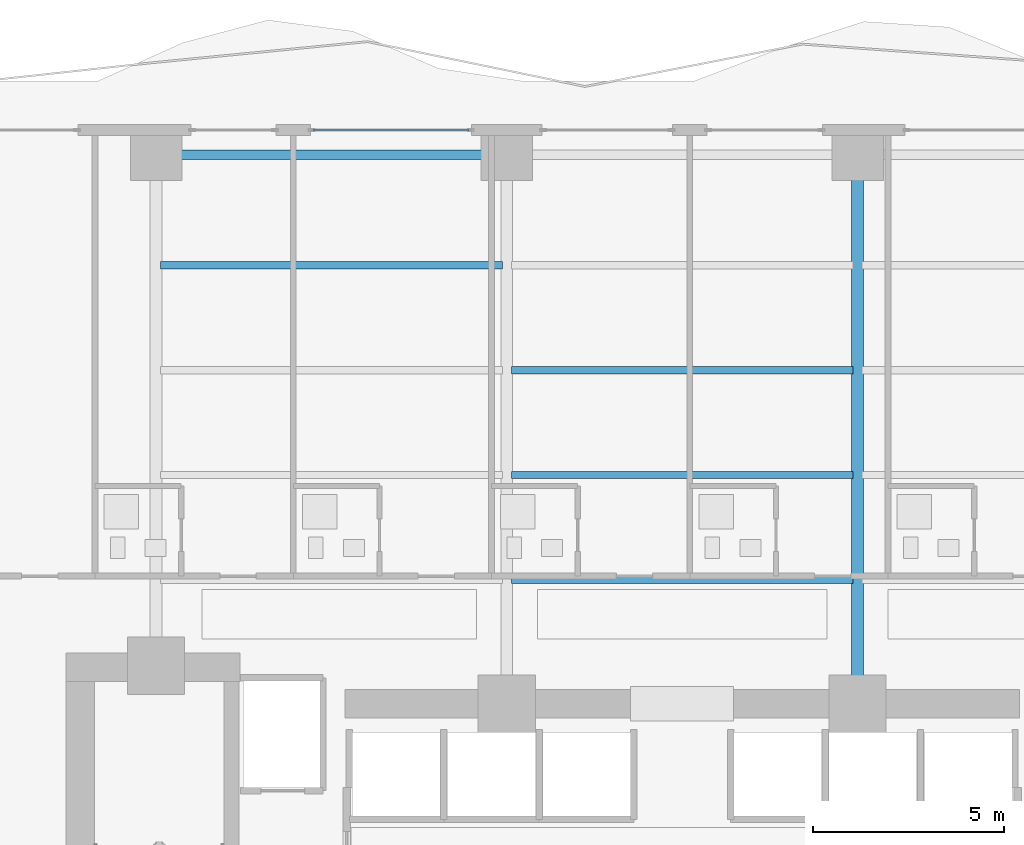
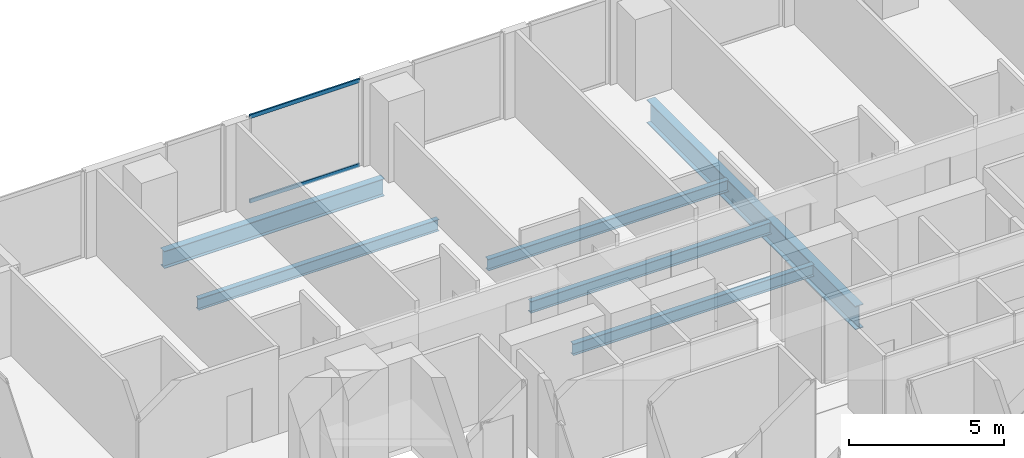
# One storey, part 16 of 29: 6 beams, 2 members, 1 element without a shape of its own.
"""IFC4 building model written with IfcOpenShell, lengths in metres."""

from ifc_helpers import new_model, si_unit, direction, frame, origin, origin_2d, place, context, subcontext, project, spatial, hollow_rectangle, i_section, extrude, material, layer, layer_set, material_profile, profile_set, type_object, element, aggregate, save


model = new_model("IFC4")

# Units and contexts
model_context = context("Model", 3, precision=1e-05, world=origin(), true_north=direction((0.0, 1.0)))
body_context = subcontext(model_context, "Body", "Model", "MODEL_VIEW")
ifc_project = project(units=[si_unit("LENGTHUNIT", "METRE"), si_unit("AREAUNIT", "SQUARE_METRE"), si_unit("VOLUMEUNIT", "CUBIC_METRE"), si_unit("PLANEANGLEUNIT", "RADIAN"), si_unit("MASSUNIT", "GRAM", prefix="KILO")], contexts=[model_context])

# Site, building, storey
site_placement = place(None, origin())
site = spatial("IfcSite", under=ifc_project, at=site_placement, CompositionType="ELEMENT")
building_placement = place(site_placement, origin())
building = spatial("IfcBuilding", under=site, at=building_placement, Name="Zuhayl Quay Hotel", CompositionType="ELEMENT")
storey_placement = place(building_placement, frame((0.0, 0.0, 158.550048828125)))
storey = spatial("IfcBuildingStorey", under=building, at=storey_placement, Name="L40", CompositionType="ELEMENT", Elevation=158.550048828125)

# Beams
ifc_material_1 = material(Name="Steel ASTM A992 Grade 50", Category="steel")
ifc_material_profile_1 = material_profile(ifc_material_1, i_section(OverallWidth=0.25390625, OverallDepth=0.68310546875, WebThickness=0.012451171875, FlangeThickness=0.018798828125, at=origin_2d()), Name="W27X94")
ifc_profile_set_1 = profile_set([ifc_material_profile_1], Name="Steel ASTM A992 Grade 50")
beam_type_1 = type_object("IfcBeamType", Name="BM_B2_W27X94", PredefinedType="BEAM", material=ifc_profile_set_1)
beam_1_placement = place(storey_placement, frame((-5.10009765625, 27.75, -0.5615234375), z_axis=(-1.0, 0.0, 0.0), x_axis=(0.0, -1.0, 0.0)))
element("IfcBeam", 1, at=beam_1_placement, inside=storey, type_object=beam_type_1, Name="L40 Floor Beam RG_L40_09", PredefinedType="BEAM", context=body_context, shape_type="SweptSolid", body=[
    extrude(i_section(OverallWidth=0.25390625, OverallDepth=0.68310546875, WebThickness=0.012451171875, FlangeThickness=0.018798828125, at=origin_2d()), origin(), (0.0, 0.0, 1.0), 8.199951171875),
])
ifc_material_profile_2 = material_profile(ifc_material_1, i_section(OverallWidth=0.18994140625, OverallDepth=0.45703125, WebThickness=0.009033203125, FlangeThickness=0.014404296875, at=origin_2d()), Name="W18X50")
ifc_profile_set_2 = profile_set([ifc_material_profile_2], Name="Steel ASTM A992 Grade 50")
beam_type_2 = type_object("IfcBeamType", Name="BM_J2_W18X50", PredefinedType="JOIST", material=ifc_profile_set_2)
for number, where, z_axis, x_axis, name in (
    (2, (-4.48095703125, 16.60009765625, -0.448486328125), (1.0, 0.0, 0.0), (0.0, 1.0, 0.0), "L40 Floor Beam FJ_L40_1_2"),
    (3, (-4.48095703125, 19.35009765625, -0.448486328125), (1.0, 0.0, 0.0), (0.0, 1.0, 0.0), "L40 Floor Beam FJ_L40_2_2"),
    (4, (-4.48095703125, 22.10009765625, -0.448486328125), (1.0, 0.0, 0.0), (0.0, 1.0, 0.0), "L40 Floor Beam FJ_L40_3_2"),
    (5, (-13.680908203125, 24.85009765625, -0.448486328125), (1.0, 0.0, 0.0), (0.0, 1.0, 0.0), "L40 Floor Beam FJ_L40_4_1"),
):
    element("IfcBeam", number, at=place(storey_placement, frame(where, z_axis=z_axis, x_axis=x_axis)), inside=storey, type_object=beam_type_2, Name=name, PredefinedType="JOIST", context=body_context, shape_type="SweptSolid", body=[
        extrude(i_section(OverallWidth=0.18994140625, OverallDepth=0.45703125, WebThickness=0.009033203125, FlangeThickness=0.014404296875, at=origin_2d()), origin(), (0.0, 0.0, 1.0), 8.9619140625),
    ])
ifc_material_profile_3 = material_profile(ifc_material_1, i_section(OverallWidth=0.306884765625, OverallDepth=0.927001953125, WebThickness=0.019287109375, FlangeThickness=0.031982421875, at=origin_2d()), Name="W36X194")
ifc_profile_set_3 = profile_set([ifc_material_profile_3], Name="Steel ASTM A992 Grade 50")
beam_type_3 = type_object("IfcBeamType", Name="BM_PG2_W36X194", PredefinedType="BEAM", material=ifc_profile_set_3)
beam_2_placement = place(storey_placement, frame((4.60009765625, 13.800048828125, -0.68359375), z_axis=(0.0, 1.0, 0.0), x_axis=(-1.0, 0.0, 0.0)))
element("IfcBeam", 6, at=beam_2_placement, inside=storey, type_object=beam_type_3, Name="L40 Floor Beam FG_N_L40_3", PredefinedType="BEAM", context=body_context, shape_type="SweptSolid", body=[
    extrude(i_section(OverallWidth=0.306884765625, OverallDepth=0.927001953125, WebThickness=0.019287109375, FlangeThickness=0.031982421875, at=origin_2d()), origin(), (0.0, 0.0, 1.0), 13.449951171875),
])

# Curtain wall, members
ifc_material_2 = material(Name="Anodised Aluminium 6063-T6", Category="aluminium")
ifc_layer = layer(ifc_material_2, 0.179931640625, Name="Anodised Aluminium 6063-T6", Category="aluminium")
ifc_layer_set = layer_set([ifc_layer], Name="Anodised Aluminium 6063-T6")
curtain_wall_type = type_object("IfcCurtainWallType", Name="CW_SYS_Z2", PredefinedType="USERDEFINED", material=ifc_layer_set)
curtain_wall_placement = place(storey_placement, origin())
curtain_wall = element("IfcCurtainWall", 7, at=curtain_wall_placement, inside=storey, type_object=curtain_wall_type, Name="L40 Curtain Wall ENV_L40_N_CW3", ObjectType="UNITISED CURTAIN WALL", PredefinedType="USERDEFINED")
ifc_material_3 = material(Name="Black-anodised aluminium 6063-T6", Category="aluminium")
ifc_material_profile_4 = material_profile(ifc_material_3, hollow_rectangle(XDim=0.06005859375, YDim=0.14990234375, WallThickness=0.00341796875, at=origin_2d()), Name="ALU150X60")
ifc_profile_set_4 = profile_set([ifc_material_profile_4], Name="Black-anodised aluminium 6063-T6")
member_type = type_object("IfcMemberType", Name="MB_CW_TRN_150", PredefinedType="USERDEFINED", material=ifc_profile_set_4)
member_1_placement = place(storey_placement, frame((-9.68505859375, 28.39990234375, 0.030029296875), z_axis=(1.0, 0.0, 0.0), x_axis=(0.0, 1.0, 0.0)))
member_1 = element("IfcMember", 8, at=member_1_placement, type_object=member_type, Name="CW-Z2 transom 1.1", ObjectType="TRANSOM", PredefinedType="USERDEFINED", context=body_context, shape_type="SweptSolid", body=[
    extrude(hollow_rectangle(XDim=0.06005859375, YDim=0.14990234375, WallThickness=0.00341796875, at=origin_2d()), origin(), (0.0, 0.0, 1.0), 4.10009765625),
])
member_2_placement = place(storey_placement, frame((-9.68505859375, 28.39990234375, 3.35986328125), z_axis=(1.0, 0.0, 0.0), x_axis=(0.0, 1.0, 0.0)))
member_2 = element("IfcMember", 9, at=member_2_placement, type_object=member_type, Name="CW-Z2 transom 1.2", ObjectType="TRANSOM", PredefinedType="USERDEFINED", context=body_context, shape_type="SweptSolid", body=[
    extrude(hollow_rectangle(XDim=0.06005859375, YDim=0.14990234375, WallThickness=0.00341796875, at=origin_2d()), origin(), (0.0, 0.0, 1.0), 4.10009765625),
])
aggregate(curtain_wall, [member_1, member_2])

save(model, "model.ifc")
